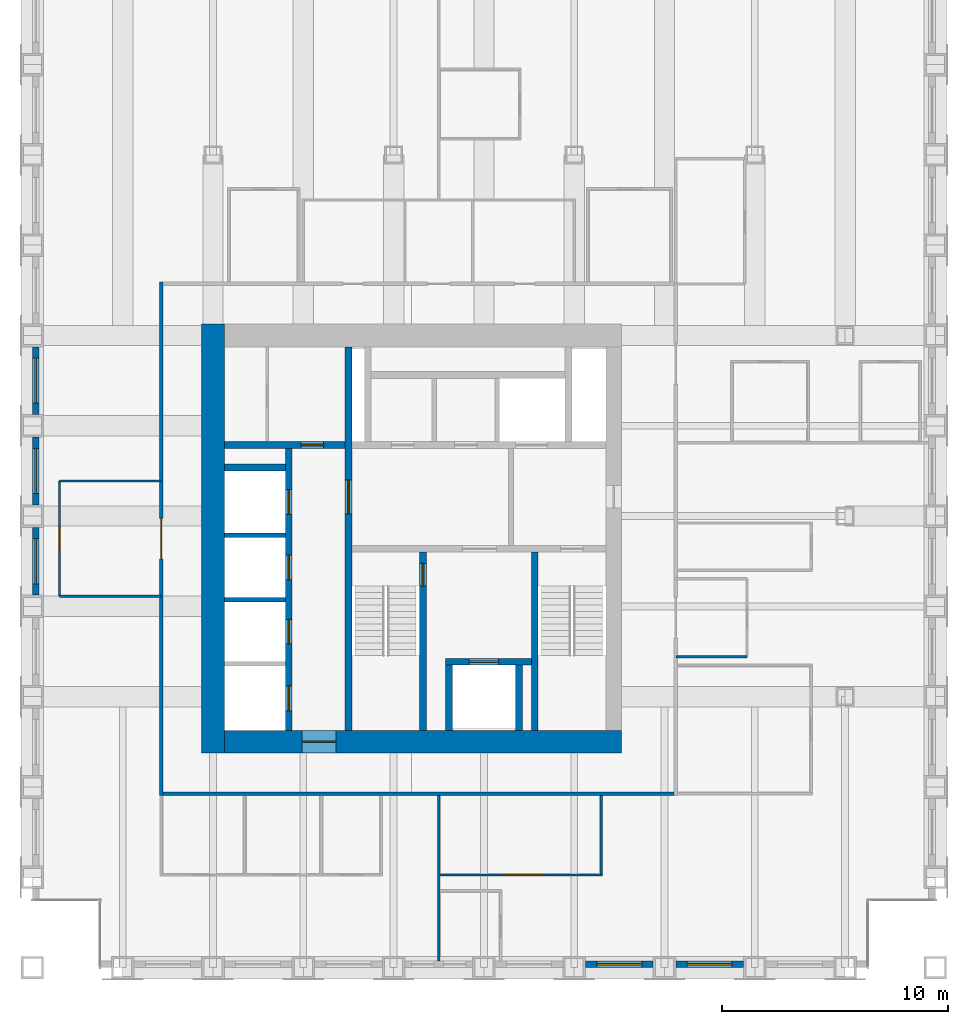
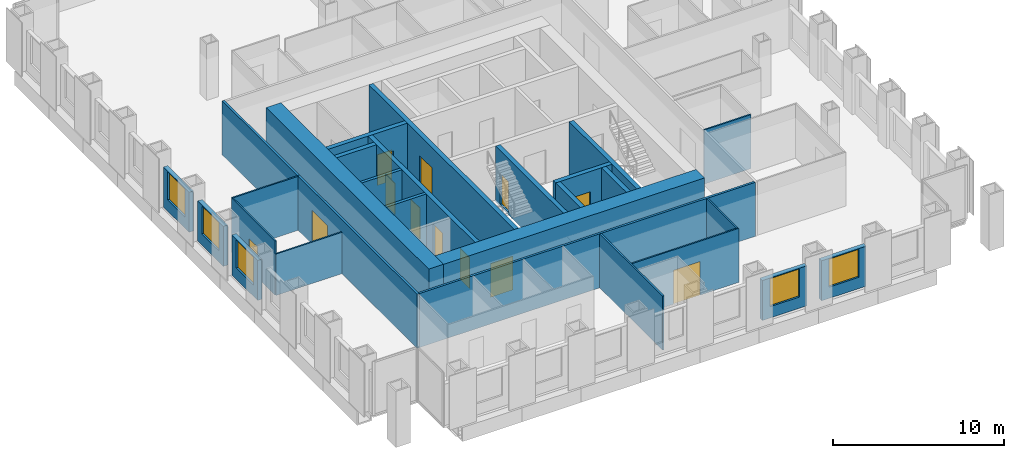
# One storey, part 9 of 14: 27 walls, 12 doors, 5 windows, 17 openings.
"""IFC4 building model written with IfcOpenShell, lengths in metres."""

from ifc_helpers import new_model, si_unit, direction, frame, frame_2d, origin, place, context, subcontext, project, spatial, rectangle, extrude, material, layer, layer_set, type_object, element, fill, save


model = new_model("IFC4")

# Units and contexts
model_context = context("Model", 3, precision=1e-05, world=origin(), true_north=direction((0.0, 1.0)))
body_context = subcontext(model_context, "Body", "Model", "MODEL_VIEW")
ifc_project = project(units=[si_unit("LENGTHUNIT", "METRE"), si_unit("AREAUNIT", "SQUARE_METRE"), si_unit("VOLUMEUNIT", "CUBIC_METRE"), si_unit("PLANEANGLEUNIT", "RADIAN"), si_unit("MASSUNIT", "GRAM", prefix="KILO")], contexts=[model_context])

# Site, building, storey
site_placement = place(None, origin())
site = spatial("IfcSite", under=ifc_project, at=site_placement, CompositionType="ELEMENT")
building_placement = place(site_placement, origin())
building = spatial("IfcBuilding", under=site, at=building_placement, Name="Rimbunsela Tower", CompositionType="ELEMENT")
storey_placement = place(building_placement, frame((0.0, 0.0, 230.199951171875)))
storey = spatial("IfcBuildingStorey", under=building, at=storey_placement, Name="L55", CompositionType="ELEMENT", Elevation=230.199951171875)

# Wall, opening, door
ifc_material_1 = material(Name="Concrete fc' 80 MPa", Category="concrete")
ifc_layer_1 = layer(ifc_material_1, 0.300048828125)
ifc_layer_set_1 = layer_set([ifc_layer_1], Name="Core internal wall 300")
wall_type_1 = type_object("IfcWallType", Name="Core internal wall 300", PredefinedType="SHEAR", material=ifc_layer_set_1)
wall_1_placement = place(storey_placement, frame((24.0, 18.5, -0.14990234375), z_axis=(0.0, 0.0, 1.0), x_axis=(0.0, 1.0, 0.0)))
wall_1 = element("IfcWall", 1, at=wall_1_placement, inside=storey, type_object=wall_type_1, Name="Core wall at stair A", PredefinedType="SHEAR", context=body_context, shape_type="SweptSolid", body=[
    extrude(rectangle(XDim=17.0, YDim=0.300048828125, at=frame_2d((8.5, 0.0))), origin(), (0.0, 0.0, 1.0), 4.0),
])
opening_1_placement = place(wall_1_placement, frame((9.60009765625, 0.0, 0.14990234375)))
opening_1 = element("IfcOpeningElement", 2, at=opening_1_placement, cuts=wall_1, Name="Opening D03", PredefinedType="OPENING", context=body_context, shape_type="SweptSolid", body=[
    extrude(rectangle(XDim=1.5, YDim=2.39990234375, at=frame_2d((0.75, 1.199951171875))), frame((0.0, 0.159912109375, 0.0), z_axis=(0.0, -1.0, 0.0), x_axis=(1.0, 0.0, 0.0)), (0.0, 0.0, 1.0), 0.320068359375),
])
ifc_material_2 = material(Name="Steel door, fire rated", Category="steel")
door_type_1 = type_object("IfcDoorType", Name="Core lobby door 1500", OperationType="DOUBLE_DOOR_DOUBLE_SWING", PredefinedType="DOOR", material=ifc_material_2)
door_1_placement = place(opening_1_placement, origin())
door_1 = element("IfcDoor", 3, at=door_1_placement, inside=storey, type_object=door_type_1, Name="West lobby door", OperationType="DOUBLE_DOOR_DOUBLE_SWING", OverallHeight=2.39990234375, OverallWidth=1.5, PredefinedType="DOOR", context=body_context, shape_type="SweptSolid", body=[
    extrude(rectangle(XDim=1.5, YDim=2.39990234375, at=frame_2d((0.75, 1.199951171875))), frame((0.0, 0.02490234375, 0.0), z_axis=(0.0, -1.0, 0.0), x_axis=(1.0, 0.0, 0.0)), (0.0, 0.0, 1.0), 0.050048828125),
])
fill(opening_1, door_1)

wall_2_placement = place(storey_placement, frame((27.300048828125, 18.5, -0.14990234375), z_axis=(0.0, 0.0, 1.0), x_axis=(0.0, 1.0, 0.0)))
wall_2 = element("IfcWall", 4, at=wall_2_placement, inside=storey, type_object=wall_type_1, Name="Stair A enclosure", PredefinedType="SHEAR", context=body_context, shape_type="SweptSolid", body=[
    extrude(rectangle(XDim=7.89990234375, YDim=0.300048828125, at=frame_2d((3.949951171875, 0.0))), origin(), (0.0, 0.0, 1.0), 4.0),
])
opening_2_placement = place(wall_2_placement, frame((6.39990234375, 0.0, 0.14990234375)))
opening_2 = element("IfcOpeningElement", 5, at=opening_2_placement, cuts=wall_2, Name="Opening D01", PredefinedType="OPENING", context=body_context, shape_type="SweptSolid", body=[
    extrude(rectangle(XDim=1.0, YDim=2.199951171875, at=frame_2d((0.5, 1.10009765625))), frame((0.0, 0.159912109375, 0.0), z_axis=(0.0, -1.0, 0.0), x_axis=(1.0, 0.0, 0.0)), (0.0, 0.0, 1.0), 0.320068359375),
])
ifc_material_3 = material(Name="Steel door, fire rated", Category="steel")
door_type_2 = type_object("IfcDoorType", Name="Stair door 1000", OperationType="SINGLE_SWING_RIGHT", PredefinedType="DOOR", material=ifc_material_3)
door_2_placement = place(opening_2_placement, origin())
door_2 = element("IfcDoor", 6, at=door_2_placement, inside=storey, type_object=door_type_2, Name="Stair A door", OperationType="SINGLE_SWING_RIGHT", OverallHeight=2.199951171875, OverallWidth=1.0, PredefinedType="DOOR", context=body_context, shape_type="SweptSolid", body=[
    extrude(rectangle(XDim=1.0, YDim=2.199951171875, at=frame_2d((0.5, 1.10009765625))), frame((0.0, 0.02490234375, 0.0), z_axis=(0.0, -1.0, 0.0), x_axis=(1.0, 0.0, 0.0)), (0.0, 0.0, 1.0), 0.050048828125),
])
fill(opening_2, door_2)

# Walls
wall_3_placement = place(storey_placement, frame((32.25, 18.5, -0.14990234375), z_axis=(0.0, 0.0, 1.0), x_axis=(0.0, 1.0, 0.0)))
element("IfcWall", 7, at=wall_3_placement, inside=storey, type_object=wall_type_1, Name="Stair B enclosure", PredefinedType="SHEAR", context=body_context, shape_type="SweptSolid", body=[
    extrude(rectangle(XDim=7.89990234375, YDim=0.300048828125, at=frame_2d((3.949951171875, 0.0))), origin(), (0.0, 0.0, 1.0), 4.0),
])
for number, where, z_axis, x_axis, name in (
    (8, (28.449951171875, 18.5, -0.14990234375), (0.0, 0.0, 1.0), (0.0, 1.0, 0.0), "Firefighting lift shaft west"),
    (9, (31.550048828125, 18.5, -0.14990234375), (0.0, 0.0, 1.0), (0.0, 1.0, 0.0), "Firefighting lift shaft east"),
):
    element("IfcWall", number, at=place(storey_placement, frame(where, z_axis=z_axis, x_axis=x_axis)), inside=storey, type_object=wall_type_1, Name=name, PredefinedType="SHEAR", context=body_context, shape_type="SweptSolid", body=[
        extrude(rectangle(XDim=2.89990234375, YDim=0.300048828125, at=frame_2d((1.449951171875, 0.0))), origin(), (0.0, 0.0, 1.0), 4.0),
    ])

# Wall, opening, door
wall_4_placement = place(storey_placement, frame((28.300048828125, 21.550048828125, -0.14990234375), z_axis=(0.0, 0.0, 1.0), x_axis=(1.0, 0.0, 0.0)))
wall_4 = element("IfcWall", 10, at=wall_4_placement, inside=storey, type_object=wall_type_1, Name="Firefighting lift shaft front", PredefinedType="SHEAR", context=body_context, shape_type="SweptSolid", body=[
    extrude(rectangle(XDim=3.800048828125, YDim=0.300048828125, at=frame_2d((1.89990234375, 0.0))), origin(), (0.0, 0.0, 1.0), 4.0),
])
opening_3_placement = place(wall_4_placement, frame((1.050048828125, 0.0, 0.14990234375)))
opening_3 = element("IfcOpeningElement", 11, at=opening_3_placement, cuts=wall_4, Name="Opening LD2", PredefinedType="OPENING", context=body_context, shape_type="SweptSolid", body=[
    extrude(rectangle(XDim=1.300048828125, YDim=2.39990234375, at=frame_2d((0.64990234375, 1.199951171875))), frame((0.0, 0.159912109375, 0.0), z_axis=(0.0, -1.0, 0.0), x_axis=(1.0, 0.0, 0.0)), (0.0, 0.0, 1.0), 0.320068359375),
])
ifc_material_4 = material(Name="Steel door, fire rated", Category="steel")
door_type_3 = type_object("IfcDoorType", Name="Lift landing door 1300", OperationType="DOUBLE_DOOR_SLIDING", PredefinedType="DOOR", material=ifc_material_4)
door_3_placement = place(opening_3_placement, origin())
door_3 = element("IfcDoor", 12, at=door_3_placement, inside=storey, type_object=door_type_3, Name="Lift landing door FL1", OperationType="DOUBLE_DOOR_SLIDING", OverallHeight=2.39990234375, OverallWidth=1.300048828125, PredefinedType="DOOR", context=body_context, shape_type="SweptSolid", body=[
    extrude(rectangle(XDim=1.300048828125, YDim=2.39990234375, at=frame_2d((0.64990234375, 1.199951171875))), frame((0.0, 0.02490234375, 0.0), z_axis=(0.0, -1.0, 0.0), x_axis=(1.0, 0.0, 0.0)), (0.0, 0.0, 1.0), 0.050048828125),
])
fill(opening_3, door_3)

# Wall, openings, doors
wall_5_placement = place(storey_placement, frame((21.35009765625, 18.5, -0.14990234375), z_axis=(0.0, 0.0, 1.0), x_axis=(0.0, 1.0, 0.0)))
wall_5 = element("IfcWall", 13, at=wall_5_placement, inside=storey, type_object=wall_type_1, Name="Lift shaft front west", PredefinedType="SHEAR", context=body_context, shape_type="SweptSolid", body=[
    extrude(rectangle(XDim=12.5, YDim=0.300048828125, at=frame_2d((6.25, 0.0))), origin(), (0.0, 0.0, 1.0), 4.0),
])
opening_4_placement = place(wall_5_placement, frame((0.875, 0.0, 0.14990234375)))
opening_4 = element("IfcOpeningElement", 14, at=opening_4_placement, cuts=wall_5, Name="Opening LD1", PredefinedType="OPENING", context=body_context, shape_type="SweptSolid", body=[
    extrude(rectangle(XDim=1.10009765625, YDim=2.199951171875, at=frame_2d((0.550048828125, 1.10009765625))), frame((0.0, 0.159912109375, 0.0), z_axis=(0.0, -1.0, 0.0), x_axis=(1.0, 0.0, 0.0)), (0.0, 0.0, 1.0), 0.320068359375),
])
opening_5_placement = place(wall_5_placement, frame((3.824951171875, 0.0, 0.14990234375)))
opening_5 = element("IfcOpeningElement", 15, at=opening_5_placement, cuts=wall_5, Name="Opening LD1", PredefinedType="OPENING", context=body_context, shape_type="SweptSolid", body=[
    extrude(rectangle(XDim=1.10009765625, YDim=2.199951171875, at=frame_2d((0.550048828125, 1.10009765625))), frame((0.0, 0.159912109375, 0.0), z_axis=(0.0, -1.0, 0.0), x_axis=(1.0, 0.0, 0.0)), (0.0, 0.0, 1.0), 0.320068359375),
])
opening_6_placement = place(wall_5_placement, frame((6.675048828125, 0.0, 0.14990234375)))
opening_6 = element("IfcOpeningElement", 16, at=opening_6_placement, cuts=wall_5, Name="Opening LD1", PredefinedType="OPENING", context=body_context, shape_type="SweptSolid", body=[
    extrude(rectangle(XDim=1.10009765625, YDim=2.199951171875, at=frame_2d((0.550048828125, 1.10009765625))), frame((0.0, 0.159912109375, 0.0), z_axis=(0.0, -1.0, 0.0), x_axis=(1.0, 0.0, 0.0)), (0.0, 0.0, 1.0), 0.320068359375),
])
opening_7_placement = place(wall_5_placement, frame((9.574951171875, 0.0, 0.14990234375)))
opening_7 = element("IfcOpeningElement", 17, at=opening_7_placement, cuts=wall_5, Name="Opening LD1", PredefinedType="OPENING", context=body_context, shape_type="SweptSolid", body=[
    extrude(rectangle(XDim=1.10009765625, YDim=2.199951171875, at=frame_2d((0.550048828125, 1.10009765625))), frame((0.0, 0.159912109375, 0.0), z_axis=(0.0, -1.0, 0.0), x_axis=(1.0, 0.0, 0.0)), (0.0, 0.0, 1.0), 0.320068359375),
])
ifc_material_5 = material(Name="Steel door, fire rated", Category="steel")
door_type_4 = type_object("IfcDoorType", Name="Lift landing door 1100", OperationType="DOUBLE_DOOR_SLIDING", PredefinedType="DOOR", material=ifc_material_5)
door_4_placement = place(opening_4_placement, origin())
door_4 = element("IfcDoor", 18, at=door_4_placement, inside=storey, type_object=door_type_4, Name="Lift landing door TL1", OperationType="DOUBLE_DOOR_SLIDING", OverallHeight=2.199951171875, OverallWidth=1.10009765625, PredefinedType="DOOR", context=body_context, shape_type="SweptSolid", body=[
    extrude(rectangle(XDim=1.10009765625, YDim=2.199951171875, at=frame_2d((0.550048828125, 1.10009765625))), frame((0.0, 0.02490234375, 0.0), z_axis=(0.0, -1.0, 0.0), x_axis=(1.0, 0.0, 0.0)), (0.0, 0.0, 1.0), 0.050048828125),
])
fill(opening_4, door_4)
door_5_placement = place(opening_5_placement, origin())
door_5 = element("IfcDoor", 19, at=door_5_placement, inside=storey, type_object=door_type_4, Name="Lift landing door TL2", OperationType="DOUBLE_DOOR_SLIDING", OverallHeight=2.199951171875, OverallWidth=1.10009765625, PredefinedType="DOOR", context=body_context, shape_type="SweptSolid", body=[
    extrude(rectangle(XDim=1.10009765625, YDim=2.199951171875, at=frame_2d((0.550048828125, 1.10009765625))), frame((0.0, 0.02490234375, 0.0), z_axis=(0.0, -1.0, 0.0), x_axis=(1.0, 0.0, 0.0)), (0.0, 0.0, 1.0), 0.050048828125),
])
fill(opening_5, door_5)
door_6_placement = place(opening_6_placement, origin())
door_6 = element("IfcDoor", 20, at=door_6_placement, inside=storey, type_object=door_type_4, Name="Lift landing door TL3", OperationType="DOUBLE_DOOR_SLIDING", OverallHeight=2.199951171875, OverallWidth=1.10009765625, PredefinedType="DOOR", context=body_context, shape_type="SweptSolid", body=[
    extrude(rectangle(XDim=1.10009765625, YDim=2.199951171875, at=frame_2d((0.550048828125, 1.10009765625))), frame((0.0, 0.02490234375, 0.0), z_axis=(0.0, -1.0, 0.0), x_axis=(1.0, 0.0, 0.0)), (0.0, 0.0, 1.0), 0.050048828125),
])
fill(opening_6, door_6)
door_7_placement = place(opening_7_placement, origin())
door_7 = element("IfcDoor", 21, at=door_7_placement, inside=storey, type_object=door_type_4, Name="Lift landing door TL4", OperationType="DOUBLE_DOOR_SLIDING", OverallHeight=2.199951171875, OverallWidth=1.10009765625, PredefinedType="DOOR", context=body_context, shape_type="SweptSolid", body=[
    extrude(rectangle(XDim=1.10009765625, YDim=2.199951171875, at=frame_2d((0.550048828125, 1.10009765625))), frame((0.0, 0.02490234375, 0.0), z_axis=(0.0, -1.0, 0.0), x_axis=(1.0, 0.0, 0.0)), (0.0, 0.0, 1.0), 0.050048828125),
])
fill(opening_7, door_7)

# Wall, opening, door
wall_6_placement = place(storey_placement, frame((18.5, 31.14990234375, -0.14990234375), z_axis=(0.0, 0.0, 1.0), x_axis=(1.0, 0.0, 0.0)))
wall_6 = element("IfcWall", 22, at=wall_6_placement, inside=storey, type_object=wall_type_1, Name="Store wall", PredefinedType="SHEAR", context=body_context, shape_type="SweptSolid", body=[
    extrude(rectangle(XDim=5.35009765625, YDim=0.300048828125, at=frame_2d((2.675048828125, 0.0))), origin(), (0.0, 0.0, 1.0), 4.0),
])
opening_8_placement = place(wall_6_placement, frame((3.39990234375, 0.0, 0.14990234375)))
opening_8 = element("IfcOpeningElement", 23, at=opening_8_placement, cuts=wall_6, Name="Opening D19", PredefinedType="OPENING", context=body_context, shape_type="SweptSolid", body=[
    extrude(rectangle(XDim=1.0, YDim=2.199951171875, at=frame_2d((0.5, 1.10009765625))), frame((0.0, 0.159912109375, 0.0), z_axis=(0.0, -1.0, 0.0), x_axis=(1.0, 0.0, 0.0)), (0.0, 0.0, 1.0), 0.320068359375),
])
ifc_material_6 = material(Name="Steel door, fire rated", Category="steel")
door_type_5 = type_object("IfcDoorType", Name="Service door 1000 fire rated", OperationType="SINGLE_SWING_LEFT", PredefinedType="DOOR", material=ifc_material_6)
door_8_placement = place(opening_8_placement, origin())
door_8 = element("IfcDoor", 24, at=door_8_placement, inside=storey, type_object=door_type_5, Name="Cleaners store door", OperationType="SINGLE_SWING_LEFT", OverallHeight=2.199951171875, OverallWidth=1.0, PredefinedType="DOOR", context=body_context, shape_type="SweptSolid", body=[
    extrude(rectangle(XDim=1.0, YDim=2.199951171875, at=frame_2d((0.5, 1.10009765625))), frame((0.0, 0.02490234375, 0.0), z_axis=(0.0, -1.0, 0.0), x_axis=(1.0, 0.0, 0.0)), (0.0, 0.0, 1.0), 0.050048828125),
])
fill(opening_8, door_8)

# Walls
wall_7_placement = place(storey_placement, frame((18.5, 30.14990234375, -0.14990234375), z_axis=(0.0, 0.0, 1.0), x_axis=(1.0, 0.0, 0.0)))
element("IfcWall", 25, at=wall_7_placement, inside=storey, type_object=wall_type_1, Name="Lift shaft rear west", PredefinedType="SHEAR", context=body_context, shape_type="SweptSolid", body=[
    extrude(rectangle(XDim=2.699951171875, YDim=0.300048828125, at=frame_2d((1.35009765625, 0.0))), origin(), (0.0, 0.0, 1.0), 4.0),
])
ifc_material_7 = material(Name="Concrete fc' 80 MPa", Category="concrete")
ifc_layer_2 = layer(ifc_material_7, 1.0)
ifc_layer_set_2 = layer_set([ifc_layer_2], Name="Core wall 1000")
wall_type_2 = type_object("IfcWallType", Name="Core wall 1000", PredefinedType="SHEAR", material=ifc_layer_set_2)
wall_8_placement = place(storey_placement, frame((18.0, 17.5, -0.14990234375), z_axis=(0.0, 0.0, 1.0), x_axis=(0.0, 1.0, 0.0)))
element("IfcWall", 26, at=wall_8_placement, inside=storey, type_object=wall_type_2, Name="Core wall west", PredefinedType="SHEAR", context=body_context, shape_type="SweptSolid", body=[
    extrude(rectangle(XDim=19.0, YDim=1.0, at=frame_2d((9.5, 0.0))), origin(), (0.0, 0.0, 1.0), 4.0),
])

# Wall, opening, door
wall_9_placement = place(storey_placement, frame((18.5, 18.0, -0.14990234375), z_axis=(0.0, 0.0, 1.0), x_axis=(1.0, 0.0, 0.0)))
wall_9 = element("IfcWall", 27, at=wall_9_placement, inside=storey, type_object=wall_type_2, Name="Core wall south", PredefinedType="SHEAR", context=body_context, shape_type="SweptSolid", body=[
    extrude(rectangle(XDim=17.60009765625, YDim=1.0, at=frame_2d((8.800048828125, 0.0))), origin(), (0.0, 0.0, 1.0), 4.0),
])
opening_9_placement = place(wall_9_placement, frame((3.449951171875, 0.0, 0.14990234375)))
opening_9 = element("IfcOpeningElement", 28, at=opening_9_placement, cuts=wall_9, Name="Opening D03", PredefinedType="OPENING", context=body_context, shape_type="SweptSolid", body=[
    extrude(rectangle(XDim=1.5, YDim=2.39990234375, at=frame_2d((0.75, 1.199951171875))), frame((0.0, 0.510009765625, 0.0), z_axis=(0.0, -1.0, 0.0), x_axis=(1.0, 0.0, 0.0)), (0.0, 0.0, 1.0), 1.02001953125),
])
door_9_placement = place(opening_9_placement, origin())
door_9 = element("IfcDoor", 29, at=door_9_placement, inside=storey, type_object=door_type_1, Name="Core door south", OperationType="DOUBLE_DOOR_DOUBLE_SWING", OverallHeight=2.39990234375, OverallWidth=1.5, PredefinedType="DOOR", context=body_context, shape_type="SweptSolid", body=[
    extrude(rectangle(XDim=1.5, YDim=2.39990234375, at=frame_2d((0.75, 1.199951171875))), frame((0.0, 0.02490234375, 0.0), z_axis=(0.0, -1.0, 0.0), x_axis=(1.0, 0.0, 0.0)), (0.0, 0.0, 1.0), 0.050048828125),
])
fill(opening_9, door_9)

# Walls
ifc_material_8 = material(Name="Concrete blockwork", Category="masonry")
ifc_layer_3 = layer(ifc_material_8, 0.199951171875)
ifc_layer_set_3 = layer_set([ifc_layer_3], Name="Lift shaft wall 200")
wall_type_3 = type_object("IfcWallType", Name="Lift shaft wall 200", PredefinedType="SOLIDWALL", material=ifc_layer_set_3)
for number, where, z_axis, x_axis, name in (
    (30, (18.5, 24.300048828125, -0.14990234375), (0.0, 0.0, 1.0), (1.0, 0.0, 0.0), "Lift shaft separation"),
    (31, (18.5, 27.14990234375, -0.14990234375), (0.0, 0.0, 1.0), (1.0, 0.0, 0.0), "Lift shaft separation"),
):
    element("IfcWall", number, at=place(storey_placement, frame(where, z_axis=z_axis, x_axis=x_axis)), inside=storey, type_object=wall_type_3, Name=name, PredefinedType="SOLIDWALL", context=body_context, shape_type="SweptSolid", body=[
        extrude(rectangle(XDim=2.699951171875, YDim=0.199951171875, at=frame_2d((1.35009765625, 0.0))), origin(), (0.0, 0.0, 1.0), 4.0),
    ])

# Wall, opening, door
ifc_material_9 = material(Name="Gypsum board on steel studs", Category="steel")
ifc_layer_4 = layer(ifc_material_9, 0.10009765625)
ifc_layer_set_4 = layer_set([ifc_layer_4], Name="Office partition 100")
wall_type_4 = type_object("IfcWallType", Name="Office partition 100", PredefinedType="PARTITIONING", material=ifc_layer_set_4)
wall_10_placement = place(storey_placement, frame((28.06103515625, 12.10009765625, 0.0), z_axis=(0.0, 0.0, 1.0), x_axis=(1.0, 0.0, 0.0)))
wall_10 = element("IfcWall", 32, at=wall_10_placement, inside=storey, type_object=wall_type_4, Name="Office partition", PredefinedType="PARTITIONING", context=body_context, shape_type="SweptSolid", body=[
    extrude(rectangle(XDim=7.18994140625, YDim=0.10009765625, at=frame_2d((3.594970703125, 0.0))), origin(), (0.0, 0.0, 1.0), 3.85009765625),
])
opening_10_placement = place(wall_10_placement, frame((2.7900390625, 0.0, 0.0)))
opening_10 = element("IfcOpeningElement", 33, at=opening_10_placement, cuts=wall_10, Name="Opening D18", PredefinedType="OPENING", context=body_context, shape_type="SweptSolid", body=[
    extrude(rectangle(XDim=1.800048828125, YDim=2.39990234375, at=frame_2d((0.89990234375, 1.199951171875))), frame((0.0, 0.06005859375, 0.0), z_axis=(0.0, -1.0, 0.0), x_axis=(1.0, 0.0, 0.0)), (0.0, 0.0, 1.0), 0.1201171875),
])
ifc_material_10 = material(Name="Glazed aluminium door", Category="aluminium")
door_type_6 = type_object("IfcDoorType", Name="Boardroom door 1800 glazed", OperationType="DOUBLE_DOOR_DOUBLE_SWING", PredefinedType="DOOR", material=ifc_material_10)
door_10_placement = place(opening_10_placement, origin())
door_10 = element("IfcDoor", 34, at=door_10_placement, inside=storey, type_object=door_type_6, Name="Boardroom door", OperationType="DOUBLE_DOOR_DOUBLE_SWING", OverallHeight=2.39990234375, OverallWidth=1.800048828125, PredefinedType="DOOR", context=body_context, shape_type="SweptSolid", body=[
    extrude(rectangle(XDim=1.800048828125, YDim=2.39990234375, at=frame_2d((0.89990234375, 1.199951171875))), frame((0.0, 0.02490234375, 0.0), z_axis=(0.0, -1.0, 0.0), x_axis=(1.0, 0.0, 0.0)), (0.0, 0.0, 1.0), 0.050048828125),
])
fill(opening_10, door_10)

# Walls
wall_11_placement = place(storey_placement, frame((35.200927734375, 12.14990234375, 0.0), z_axis=(0.0, 0.0, 1.0), x_axis=(0.0, 1.0, 0.0)))
element("IfcWall", 35, at=wall_11_placement, inside=storey, type_object=wall_type_4, Name="Office partition", PredefinedType="PARTITIONING", context=body_context, shape_type="SweptSolid", body=[
    extrude(rectangle(XDim=3.47509765625, YDim=0.10009765625, at=frame_2d((1.737548828125, 0.0))), origin(), (0.0, 0.0, 1.0), 3.85009765625),
])
wall_12_placement = place(storey_placement, frame((15.699951171875, 29.550048828125, 0.0), z_axis=(0.0, 0.0, 1.0), x_axis=(-1.0, 0.0, 0.0)))
element("IfcWall", 36, at=wall_12_placement, inside=storey, type_object=wall_type_4, Name="Office partition", PredefinedType="PARTITIONING", context=body_context, shape_type="SweptSolid", body=[
    extrude(rectangle(XDim=4.5, YDim=0.10009765625, at=frame_2d((2.25, 0.0))), origin(), (0.0, 0.0, 1.0), 3.85009765625),
])

# Wall, opening, door
wall_13_placement = place(storey_placement, frame((11.199951171875, 29.550048828125, 0.0), z_axis=(0.0, 0.0, 1.0), x_axis=(0.0, -1.0, 0.0)))
wall_13 = element("IfcWall", 37, at=wall_13_placement, inside=storey, type_object=wall_type_4, Name="Office partition", PredefinedType="PARTITIONING", context=body_context, shape_type="SweptSolid", body=[
    extrude(rectangle(XDim=5.10009765625, YDim=0.10009765625, at=frame_2d((2.550048828125, 0.0))), origin(), (0.0, 0.0, 1.0), 3.85009765625),
])
opening_11_placement = place(wall_13_placement, frame((2.050048828125, 0.0, 0.0)))
opening_11 = element("IfcOpeningElement", 38, at=opening_11_placement, cuts=wall_13, Name="Opening D17", PredefinedType="OPENING", context=body_context, shape_type="SweptSolid", body=[
    extrude(rectangle(XDim=1.0, YDim=2.199951171875, at=frame_2d((0.5, 1.10009765625))), frame((0.0, 0.06005859375, 0.0), z_axis=(0.0, -1.0, 0.0), x_axis=(1.0, 0.0, 0.0)), (0.0, 0.0, 1.0), 0.1201171875),
])
ifc_material_11 = material(Name="Glazed aluminium door", Category="aluminium")
door_type_7 = type_object("IfcDoorType", Name="Meeting room door 1000 glazed", OperationType="SINGLE_SWING_RIGHT", PredefinedType="DOOR", material=ifc_material_11)
door_11_placement = place(opening_11_placement, origin())
door_11 = element("IfcDoor", 39, at=door_11_placement, inside=storey, type_object=door_type_7, Name="Reception door", OperationType="SINGLE_SWING_RIGHT", OverallHeight=2.199951171875, OverallWidth=1.0, PredefinedType="DOOR", context=body_context, shape_type="SweptSolid", body=[
    extrude(rectangle(XDim=1.0, YDim=2.199951171875, at=frame_2d((0.5, 1.10009765625))), frame((0.0, 0.02490234375, 0.0), z_axis=(0.0, -1.0, 0.0), x_axis=(1.0, 0.0, 0.0)), (0.0, 0.0, 1.0), 0.050048828125),
])
fill(opening_11, door_11)

# Walls
wall_14_placement = place(storey_placement, frame((11.199951171875, 24.449951171875, 0.0), z_axis=(0.0, 0.0, 1.0), x_axis=(1.0, 0.0, 0.0)))
element("IfcWall", 40, at=wall_14_placement, inside=storey, type_object=wall_type_4, Name="Office partition", PredefinedType="PARTITIONING", context=body_context, shape_type="SweptSolid", body=[
    extrude(rectangle(XDim=4.5, YDim=0.10009765625, at=frame_2d((2.25, 0.0))), origin(), (0.0, 0.0, 1.0), 2.949951171875),
])
wall_15_placement = place(storey_placement, frame((38.5, 21.77392578125, 0.0), z_axis=(0.0, 0.0, 1.0), x_axis=(1.0, 0.0, 0.0)))
element("IfcWall", 41, at=wall_15_placement, inside=storey, type_object=wall_type_4, Name="Office partition", PredefinedType="PARTITIONING", context=body_context, shape_type="SweptSolid", body=[
    extrude(rectangle(XDim=3.14990234375, YDim=0.10009765625, at=frame_2d((1.574951171875, 0.0))), origin(), (0.0, 0.0, 1.0), 3.85009765625),
])

# Wall, opening, window
ifc_material_12 = material(Name="Precast concrete fc' 35 MPa", Category="concrete")
ifc_layer_5 = layer(ifc_material_12, 0.300048828125)
ifc_layer_set_5 = layer_set([ifc_layer_5], Name="Precast concrete fc' 35 MPa")
wall_type_5 = type_object("IfcWallType", Name="Precast facade panel 300", PredefinedType="ELEMENTEDWALL", material=ifc_layer_set_5)
wall_16_placement = place(storey_placement, frame((34.5, 8.14990234375, 0.0), z_axis=(0.0, 0.0, 1.0), x_axis=(1.0, 0.0, 0.0)))
wall_16 = element("IfcWall", 42, at=wall_16_placement, inside=storey, type_object=wall_type_5, Name="Facade panel S L55", PredefinedType="ELEMENTEDWALL", context=body_context, shape_type="SweptSolid", body=[
    extrude(rectangle(XDim=3.0, YDim=0.300048828125, at=frame_2d((1.5, 0.0))), origin(), (0.0, 0.0, 1.0), 2.85009765625),
])
opening_12_placement = place(wall_16_placement, frame((0.5, 0.0, 0.800048828125)))
opening_12 = element("IfcOpeningElement", 43, at=opening_12_placement, cuts=wall_16, Name="Opening W1", PredefinedType="OPENING", context=body_context, shape_type="SweptSolid", body=[
    extrude(rectangle(XDim=2.0, YDim=2.0, at=frame_2d((1.0, 1.0))), frame((0.0, 0.159912109375, 0.0), z_axis=(0.0, -1.0, 0.0), x_axis=(1.0, 0.0, 0.0)), (0.0, 0.0, 1.0), 0.320068359375),
])
ifc_material_13 = material(Name="Clear glass in aluminium frame", Category="aluminium")
window_type = type_object("IfcWindowType", Name="Window W1 2000x2000", PartitioningType="DOUBLE_PANEL_VERTICAL", PredefinedType="WINDOW", material=ifc_material_13)
window_1_placement = place(opening_12_placement, origin())
window_1 = element("IfcWindow", 44, at=window_1_placement, inside=storey, type_object=window_type, Name="Window L55", OverallHeight=2.0, OverallWidth=2.0, PartitioningType="SINGLE_PANEL", PredefinedType="WINDOW", context=body_context, shape_type="SweptSolid", body=[
    extrude(rectangle(XDim=2.0, YDim=2.0, at=frame_2d((1.0, 1.0))), frame((0.0, 0.030029296875, 0.0), z_axis=(0.0, -1.0, 0.0), x_axis=(1.0, 0.0, 0.0)), (0.0, 0.0, 1.0), 0.06005859375),
])
fill(opening_12, window_1)

wall_17_placement = place(storey_placement, frame((38.5, 8.14990234375, 0.0), z_axis=(0.0, 0.0, 1.0), x_axis=(1.0, 0.0, 0.0)))
wall_17 = element("IfcWall", 45, at=wall_17_placement, inside=storey, type_object=wall_type_5, Name="Facade panel S L55", PredefinedType="ELEMENTEDWALL", context=body_context, shape_type="SweptSolid", body=[
    extrude(rectangle(XDim=3.0, YDim=0.300048828125, at=frame_2d((1.5, 0.0))), origin(), (0.0, 0.0, 1.0), 2.85009765625),
])
opening_13_placement = place(wall_17_placement, frame((0.5, 0.0, 0.800048828125)))
opening_13 = element("IfcOpeningElement", 46, at=opening_13_placement, cuts=wall_17, Name="Opening W1", PredefinedType="OPENING", context=body_context, shape_type="SweptSolid", body=[
    extrude(rectangle(XDim=2.0, YDim=2.0, at=frame_2d((1.0, 1.0))), frame((0.0, 0.159912109375, 0.0), z_axis=(0.0, -1.0, 0.0), x_axis=(1.0, 0.0, 0.0)), (0.0, 0.0, 1.0), 0.320068359375),
])
window_2_placement = place(opening_13_placement, origin())
window_2 = element("IfcWindow", 47, at=window_2_placement, inside=storey, type_object=window_type, Name="Window L55", OverallHeight=2.0, OverallWidth=2.0, PartitioningType="SINGLE_PANEL", PredefinedType="WINDOW", context=body_context, shape_type="SweptSolid", body=[
    extrude(rectangle(XDim=2.0, YDim=2.0, at=frame_2d((1.0, 1.0))), frame((0.0, 0.030029296875, 0.0), z_axis=(0.0, -1.0, 0.0), x_axis=(1.0, 0.0, 0.0)), (0.0, 0.0, 1.0), 0.06005859375),
])
fill(opening_13, window_2)

wall_18_placement = place(storey_placement, frame((10.14990234375, 27.5, 0.0), z_axis=(0.0, 0.0, 1.0), x_axis=(0.0, -1.0, 0.0)))
wall_18 = element("IfcWall", 48, at=wall_18_placement, inside=storey, type_object=wall_type_5, Name="Facade panel W L55", PredefinedType="ELEMENTEDWALL", context=body_context, shape_type="SweptSolid", body=[
    extrude(rectangle(XDim=3.0, YDim=0.300048828125, at=frame_2d((1.5, 0.0))), origin(), (0.0, 0.0, 1.0), 2.85009765625),
])
opening_14_placement = place(wall_18_placement, frame((0.5, 0.0, 0.800048828125)))
opening_14 = element("IfcOpeningElement", 49, at=opening_14_placement, cuts=wall_18, Name="Opening W1", PredefinedType="OPENING", context=body_context, shape_type="SweptSolid", body=[
    extrude(rectangle(XDim=2.0, YDim=2.0, at=frame_2d((1.0, 1.0))), frame((0.0, 0.159912109375, 0.0), z_axis=(0.0, -1.0, 0.0), x_axis=(1.0, 0.0, 0.0)), (0.0, 0.0, 1.0), 0.320068359375),
])
window_3_placement = place(opening_14_placement, origin())
window_3 = element("IfcWindow", 50, at=window_3_placement, inside=storey, type_object=window_type, Name="Window L55", OverallHeight=2.0, OverallWidth=2.0, PartitioningType="SINGLE_PANEL", PredefinedType="WINDOW", context=body_context, shape_type="SweptSolid", body=[
    extrude(rectangle(XDim=2.0, YDim=2.0, at=frame_2d((1.0, 1.0))), frame((0.0, 0.030029296875, 0.0), z_axis=(0.0, -1.0, 0.0), x_axis=(1.0, 0.0, 0.0)), (0.0, 0.0, 1.0), 0.06005859375),
])
fill(opening_14, window_3)

wall_19_placement = place(storey_placement, frame((10.14990234375, 31.5, 0.0), z_axis=(0.0, 0.0, 1.0), x_axis=(0.0, -1.0, 0.0)))
wall_19 = element("IfcWall", 51, at=wall_19_placement, inside=storey, type_object=wall_type_5, Name="Facade panel W L55", PredefinedType="ELEMENTEDWALL", context=body_context, shape_type="SweptSolid", body=[
    extrude(rectangle(XDim=3.0, YDim=0.300048828125, at=frame_2d((1.5, 0.0))), origin(), (0.0, 0.0, 1.0), 2.85009765625),
])
opening_15_placement = place(wall_19_placement, frame((0.5, 0.0, 0.800048828125)))
opening_15 = element("IfcOpeningElement", 52, at=opening_15_placement, cuts=wall_19, Name="Opening W1", PredefinedType="OPENING", context=body_context, shape_type="SweptSolid", body=[
    extrude(rectangle(XDim=2.0, YDim=2.0, at=frame_2d((1.0, 1.0))), frame((0.0, 0.159912109375, 0.0), z_axis=(0.0, -1.0, 0.0), x_axis=(1.0, 0.0, 0.0)), (0.0, 0.0, 1.0), 0.320068359375),
])
window_4_placement = place(opening_15_placement, origin())
window_4 = element("IfcWindow", 53, at=window_4_placement, inside=storey, type_object=window_type, Name="Window L55", OverallHeight=2.0, OverallWidth=2.0, PartitioningType="SINGLE_PANEL", PredefinedType="WINDOW", context=body_context, shape_type="SweptSolid", body=[
    extrude(rectangle(XDim=2.0, YDim=2.0, at=frame_2d((1.0, 1.0))), frame((0.0, 0.030029296875, 0.0), z_axis=(0.0, -1.0, 0.0), x_axis=(1.0, 0.0, 0.0)), (0.0, 0.0, 1.0), 0.06005859375),
])
fill(opening_15, window_4)

wall_20_placement = place(storey_placement, frame((10.14990234375, 35.5, 0.0), z_axis=(0.0, 0.0, 1.0), x_axis=(0.0, -1.0, 0.0)))
wall_20 = element("IfcWall", 54, at=wall_20_placement, inside=storey, type_object=wall_type_5, Name="Facade panel W L55", PredefinedType="ELEMENTEDWALL", context=body_context, shape_type="SweptSolid", body=[
    extrude(rectangle(XDim=3.0, YDim=0.300048828125, at=frame_2d((1.5, 0.0))), origin(), (0.0, 0.0, 1.0), 2.85009765625),
])
opening_16_placement = place(wall_20_placement, frame((0.5, 0.0, 0.800048828125)))
opening_16 = element("IfcOpeningElement", 55, at=opening_16_placement, cuts=wall_20, Name="Opening W1", PredefinedType="OPENING", context=body_context, shape_type="SweptSolid", body=[
    extrude(rectangle(XDim=2.0, YDim=2.0, at=frame_2d((1.0, 1.0))), frame((0.0, 0.159912109375, 0.0), z_axis=(0.0, -1.0, 0.0), x_axis=(1.0, 0.0, 0.0)), (0.0, 0.0, 1.0), 0.320068359375),
])
window_5_placement = place(opening_16_placement, origin())
window_5 = element("IfcWindow", 56, at=window_5_placement, inside=storey, type_object=window_type, Name="Window L55", OverallHeight=2.0, OverallWidth=2.0, PartitioningType="SINGLE_PANEL", PredefinedType="WINDOW", context=body_context, shape_type="SweptSolid", body=[
    extrude(rectangle(XDim=2.0, YDim=2.0, at=frame_2d((1.0, 1.0))), frame((0.0, 0.030029296875, 0.0), z_axis=(0.0, -1.0, 0.0), x_axis=(1.0, 0.0, 0.0)), (0.0, 0.0, 1.0), 0.06005859375),
])
fill(opening_16, window_5)

# Wall, opening, door
ifc_material_14 = material(Name="Fire-rated gypsum board on steel studs, EI 60", Category="steel")
ifc_layer_6 = layer(ifc_material_14, 0.14990234375)
ifc_layer_set_6 = layer_set([ifc_layer_6], Name="Rated corridor wall 150")
wall_type_6 = type_object("IfcWallType", Name="Rated corridor wall 150", PredefinedType="PARTITIONING", material=ifc_layer_set_6)
wall_21_placement = place(storey_placement, frame((15.699951171875, 15.625, 0.0), z_axis=(0.0, 0.0, 1.0), x_axis=(0.0, 1.0, 0.0)))
wall_21 = element("IfcWall", 57, at=wall_21_placement, inside=storey, type_object=wall_type_6, Name="Corridor wall west", PredefinedType="PARTITIONING", context=body_context, shape_type="SweptSolid", body=[
    extrude(rectangle(XDim=22.75, YDim=0.14990234375, at=frame_2d((11.375, 0.0))), origin(), (0.0, 0.0, 1.0), 3.85009765625),
])
opening_17_placement = place(wall_21_placement, frame((10.47509765625, 0.0, 0.0)))
opening_17 = element("IfcOpeningElement", 58, at=opening_17_placement, cuts=wall_21, Name="Opening D09", PredefinedType="OPENING", context=body_context, shape_type="SweptSolid", body=[
    extrude(rectangle(XDim=1.800048828125, YDim=2.39990234375, at=frame_2d((0.89990234375, 1.199951171875))), frame((0.0, 0.0849609375, 0.0), z_axis=(0.0, -1.0, 0.0), x_axis=(1.0, 0.0, 0.0)), (0.0, 0.0, 1.0), 0.169921875),
])
ifc_material_15 = material(Name="Glazed aluminium door, fire rated", Category="aluminium")
door_type_8 = type_object("IfcDoorType", Name="Tenancy door 1800 glazed", OperationType="DOUBLE_DOOR_DOUBLE_SWING", PredefinedType="DOOR", material=ifc_material_15)
door_12_placement = place(opening_17_placement, origin())
door_12 = element("IfcDoor", 59, at=door_12_placement, inside=storey, type_object=door_type_8, Name="Tenancy door", OperationType="DOUBLE_DOOR_DOUBLE_SWING", OverallHeight=2.39990234375, OverallWidth=1.800048828125, PredefinedType="DOOR", context=body_context, shape_type="SweptSolid", body=[
    extrude(rectangle(XDim=1.800048828125, YDim=2.39990234375, at=frame_2d((0.89990234375, 1.199951171875))), frame((0.0, 0.02490234375, 0.0), z_axis=(0.0, -1.0, 0.0), x_axis=(1.0, 0.0, 0.0)), (0.0, 0.0, 1.0), 0.050048828125),
])
fill(opening_17, door_12)

# Walls
wall_22_placement = place(storey_placement, frame((15.77490234375, 15.699951171875, 0.0), z_axis=(0.0, 0.0, 1.0), x_axis=(1.0, 0.0, 0.0)))
element("IfcWall", 60, at=wall_22_placement, inside=storey, type_object=wall_type_6, Name="Corridor wall south", PredefinedType="PARTITIONING", context=body_context, shape_type="SweptSolid", body=[
    extrude(rectangle(XDim=22.650146484375, YDim=0.14990234375, at=frame_2d((11.3251953125, 0.0))), origin(), (0.0, 0.0, 1.0), 3.85009765625),
])
ifc_material_16 = material(Name="Gypsum board on steel studs", Category="steel")
ifc_layer_7 = layer(ifc_material_16, 0.1201171875)
ifc_layer_set_7 = layer_set([ifc_layer_7], Name="Tenancy partition 120")
wall_type_7 = type_object("IfcWallType", Name="Tenancy partition 120", PredefinedType="PARTITIONING", material=ifc_layer_set_7)
wall_23_placement = place(storey_placement, frame((28.0, 8.300048828125, 0.0), z_axis=(0.0, 0.0, 1.0), x_axis=(0.0, 1.0, 0.0)))
element("IfcWall", 61, at=wall_23_placement, inside=storey, type_object=wall_type_7, Name="Tenancy partition south", PredefinedType="PARTITIONING", context=body_context, shape_type="SweptSolid", body=[
    extrude(rectangle(XDim=7.324951171875, YDim=0.1201171875, at=frame_2d((3.66259765625, 0.0))), origin(), (0.0, 0.0, 1.0), 3.85009765625),
])

save(model, "model.ifc")
